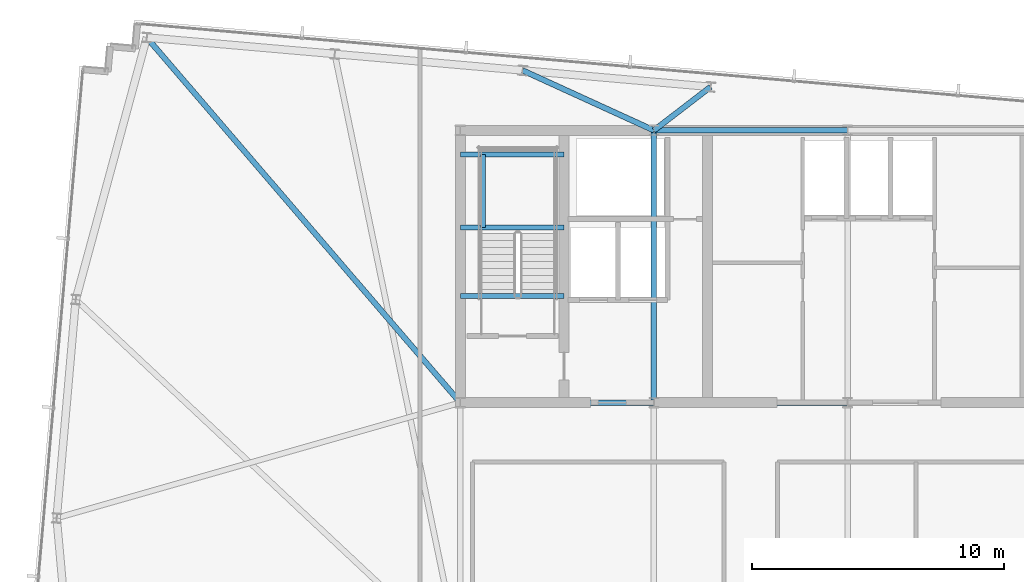
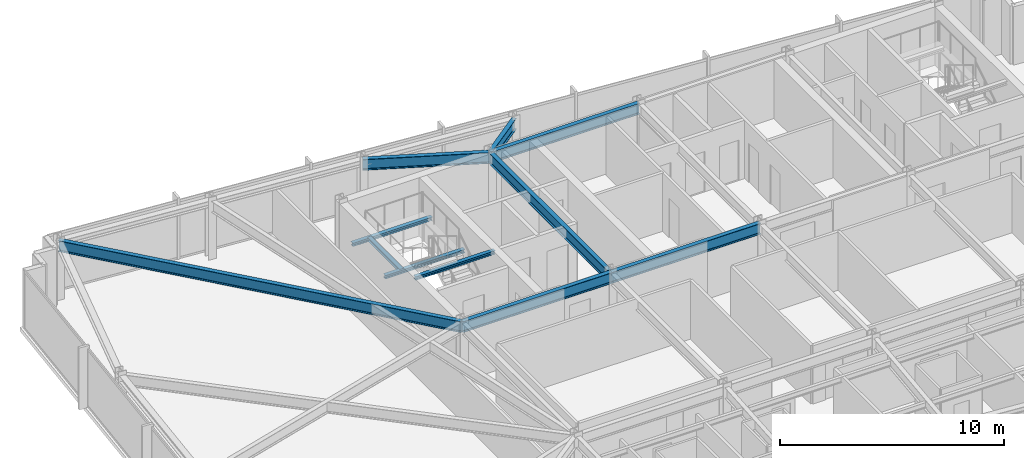
# One storey, part 12 of 33: 11 beams.
"""IFC4 building model written with IfcOpenShell, lengths in metres."""

from ifc_helpers import new_model, si_unit, direction, frame, origin, origin_2d, place, context, subcontext, project, spatial, i_section, extrude, material, material_profile, profile_set, type_object, element, save


model = new_model("IFC4")

# Units and contexts
model_context = context("Model", 3, precision=1e-05, world=origin(), true_north=direction((0.0, 1.0)))
body_context = subcontext(model_context, "Body", "Model", "MODEL_VIEW")
ifc_project = project(units=[si_unit("LENGTHUNIT", "METRE"), si_unit("AREAUNIT", "SQUARE_METRE"), si_unit("VOLUMEUNIT", "CUBIC_METRE"), si_unit("PLANEANGLEUNIT", "RADIAN"), si_unit("MASSUNIT", "GRAM", prefix="KILO")], contexts=[model_context])

# Site, building, storey
site_placement = place(None, origin())
site = spatial("IfcSite", under=ifc_project, at=site_placement, CompositionType="ELEMENT")
building_placement = place(site_placement, origin())
building = spatial("IfcBuilding", under=site, at=building_placement, Name="Yelkora Congress Tower", CompositionType="ELEMENT")
storey_placement = place(building_placement, frame((0.0, 0.0, 289.699951171875)))
storey = spatial("IfcBuildingStorey", under=building, at=storey_placement, Name="L81", CompositionType="ELEMENT", Elevation=289.699951171875)

# Beams
ifc_material = material(Name="Steel S355J2", Category="steel")
ifc_material_profile_1 = material_profile(ifc_material, i_section(OverallWidth=0.219970703125, OverallDepth=0.60009765625, WebThickness=0.011962890625, FlangeThickness=0.01904296875, FilletRadius=0.02392578125, at=origin_2d()), Name="IPE 600")
ifc_profile_set_1 = profile_set([ifc_material_profile_1], Name="Steel S355J2")
beam_type_1 = type_object("IfcBeamType", Name="BM-GIRD-IPE600", PredefinedType="BEAM", material=ifc_profile_set_1)
for number, where, z_axis, x_axis, name in (
    (1, (30.719970703125, 46.199951171875, 2.880126953125), (1.0, 0.0, 0.0), (0.0, 1.0, 0.0), "L81 Core North Girder 2"),
    (2, (23.0400390625, 35.39990234375, 2.880126953125), (1.0, 0.0, 0.0), (0.0, 1.0, 0.0), "L81 Core South Girder 1"),
    (3, (30.719970703125, 35.39990234375, 2.880126953125), (1.0, 0.0, 0.0), (0.0, 1.0, 0.0), "L81 Core South Girder 2"),
):
    element("IfcBeam", number, at=place(storey_placement, frame(where, z_axis=z_axis, x_axis=x_axis)), inside=storey, type_object=beam_type_1, Name=name, PredefinedType="BEAM", context=body_context, shape_type="SweptSolid", body=[
        extrude(i_section(OverallWidth=0.219970703125, OverallDepth=0.60009765625, WebThickness=0.011962890625, FlangeThickness=0.01904296875, FilletRadius=0.02392578125, at=origin_2d()), origin(), (0.0, 0.0, 1.0), 7.679931640625),
    ])
beam_1_placement = place(storey_placement, frame((30.719970703125, 35.39990234375, 2.880126953125), z_axis=(0.0, 1.0, 0.0), x_axis=(-1.0, 0.0, 0.0)))
element("IfcBeam", 4, at=beam_1_placement, inside=storey, type_object=beam_type_1, Name="L81 Core Tie Girder MC-S2", PredefinedType="BEAM", context=body_context, shape_type="SweptSolid", body=[
    extrude(i_section(OverallWidth=0.219970703125, OverallDepth=0.60009765625, WebThickness=0.011962890625, FlangeThickness=0.01904296875, FilletRadius=0.02392578125, at=origin_2d()), origin(), (0.0, 0.0, 1.0), 10.800048828125),
])
beam_2_placement = place(storey_placement, frame((10.60400390625, 49.884033203125, 2.880126953125), z_axis=(0.651427266579, -0.758711088859, 0.0), x_axis=(0.758711088859, 0.651427266579, 0.0)))
element("IfcBeam", 5, at=beam_2_placement, inside=storey, type_object=beam_type_1, Name="L81 Primary Frame Girder N01", PredefinedType="BEAM", context=body_context, shape_type="SweptSolid", body=[
    extrude(i_section(OverallWidth=0.219970703125, OverallDepth=0.60009765625, WebThickness=0.011962890625, FlangeThickness=0.01904296875, FilletRadius=0.02392578125, at=origin_2d()), origin(), (0.0, 0.0, 1.0), 19.09033203125),
])
beam_3_placement = place(storey_placement, frame((25.513916015625, 48.57958984375, 2.880126953125), z_axis=(0.909492445228, -0.415720449429, 0.0), x_axis=(0.415720449429, 0.909492445228, 0.0)))
element("IfcBeam", 6, at=beam_3_placement, inside=storey, type_object=beam_type_1, Name="L81 Primary Frame Girder N03", PredefinedType="BEAM", context=body_context, shape_type="SweptSolid", body=[
    extrude(i_section(OverallWidth=0.219970703125, OverallDepth=0.60009765625, WebThickness=0.011962890625, FlangeThickness=0.01904296875, FilletRadius=0.02392578125, at=origin_2d()), origin(), (0.0, 0.0, 1.0), 5.72412109375),
])
beam_4_placement = place(storey_placement, frame((32.968505859375, 47.927490234375, 2.880126953125), z_axis=(-0.792982335977, -0.609244626425, 0.0), x_axis=(0.609244626425, -0.792982335977, 0.0)))
element("IfcBeam", 7, at=beam_4_placement, inside=storey, type_object=beam_type_1, Name="L81 Primary Frame Girder N04", PredefinedType="BEAM", context=body_context, shape_type="SweptSolid", body=[
    extrude(i_section(OverallWidth=0.219970703125, OverallDepth=0.60009765625, WebThickness=0.011962890625, FlangeThickness=0.01904296875, FilletRadius=0.02392578125, at=origin_2d()), origin(), (0.0, 0.0, 1.0), 2.83544921875),
])
ifc_material_profile_2 = material_profile(ifc_material, i_section(OverallWidth=0.199951171875, OverallDepth=0.18994140625, WebThickness=0.006591796875, FlangeThickness=0.010009765625, FilletRadius=0.01806640625, at=origin_2d()), Name="HEA 200")
ifc_profile_set_2 = profile_set([ifc_material_profile_2], Name="Steel S355J2")
beam_type_2 = type_object("IfcBeamType", Name="BM-LAND-HEA200", PredefinedType="BEAM", material=ifc_profile_set_2)
for number, where, z_axis, x_axis, name in (
    (8, (23.0400390625, 42.340087890625, 1.384765625), (1.0, 0.0, 0.0), (0.0, 1.0, 0.0), "ST-01 L81 Landing Header Beam 1S"),
    (9, (23.0400390625, 45.25, 1.384765625), (1.0, 0.0, 0.0), (0.0, 1.0, 0.0), "ST-01 L81 Landing Header Beam 1N"),
):
    element("IfcBeam", number, at=place(storey_placement, frame(where, z_axis=z_axis, x_axis=x_axis)), inside=storey, type_object=beam_type_2, Name=name, PredefinedType="BEAM", context=body_context, shape_type="SweptSolid", body=[
        extrude(i_section(OverallWidth=0.199951171875, OverallDepth=0.18994140625, WebThickness=0.006591796875, FlangeThickness=0.010009765625, FilletRadius=0.01806640625, at=origin_2d()), origin(), (0.0, 0.0, 1.0), 4.10986328125),
    ])
beam_5_placement = place(storey_placement, frame((23.93994140625, 42.340087890625, 1.384765625), z_axis=(0.0, 1.0, 0.0), x_axis=(-1.0, 0.0, 0.0)))
element("IfcBeam", 10, at=beam_5_placement, inside=storey, type_object=beam_type_2, Name="ST-01 L81 Landing Trimmer Beam 1M", PredefinedType="BEAM", context=body_context, shape_type="SweptSolid", body=[
    extrude(i_section(OverallWidth=0.199951171875, OverallDepth=0.18994140625, WebThickness=0.006591796875, FlangeThickness=0.010009765625, FilletRadius=0.01806640625, at=origin_2d()), origin(), (0.0, 0.0, 1.0), 2.909912109375),
])
beam_6_placement = place(storey_placement, frame((23.0400390625, 39.639892578125, 2.947509765625), z_axis=(1.0, 0.0, 0.0), x_axis=(0.0, 1.0, 0.0)))
element("IfcBeam", 11, at=beam_6_placement, inside=storey, type_object=beam_type_2, Name="ST-01 L81 Floor Arrival Stringer Header Beam", PredefinedType="BEAM", context=body_context, shape_type="SweptSolid", body=[
    extrude(i_section(OverallWidth=0.199951171875, OverallDepth=0.18994140625, WebThickness=0.006591796875, FlangeThickness=0.010009765625, FilletRadius=0.01806640625, at=origin_2d()), origin(), (0.0, 0.0, 1.0), 4.10986328125),
])

save(model, "model.ifc")
